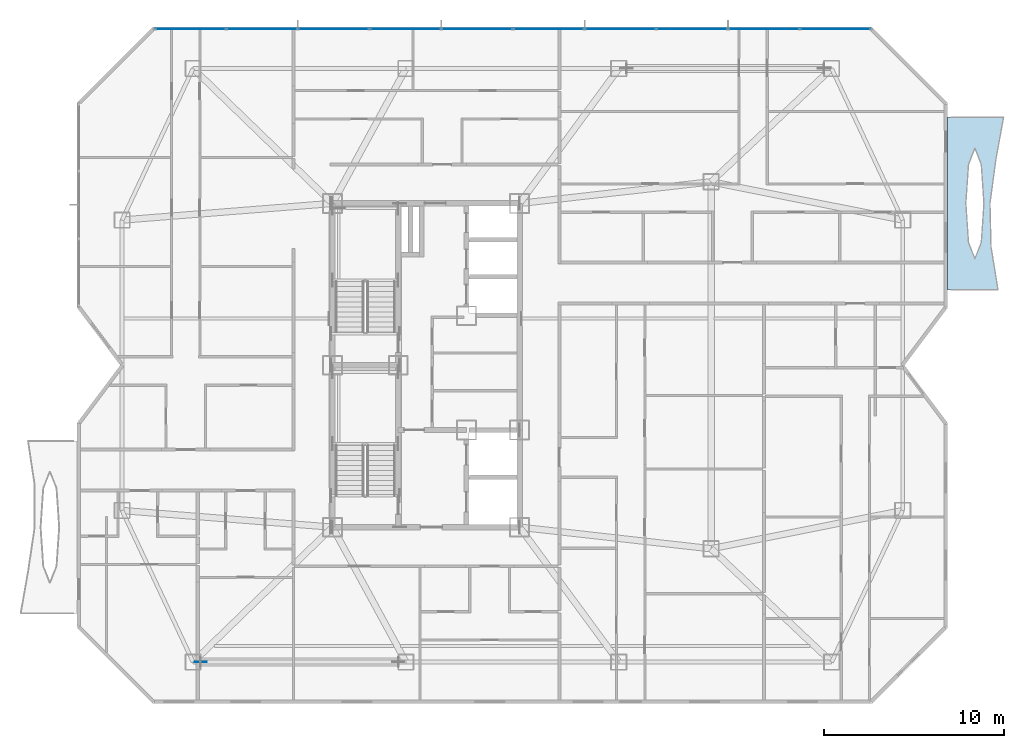
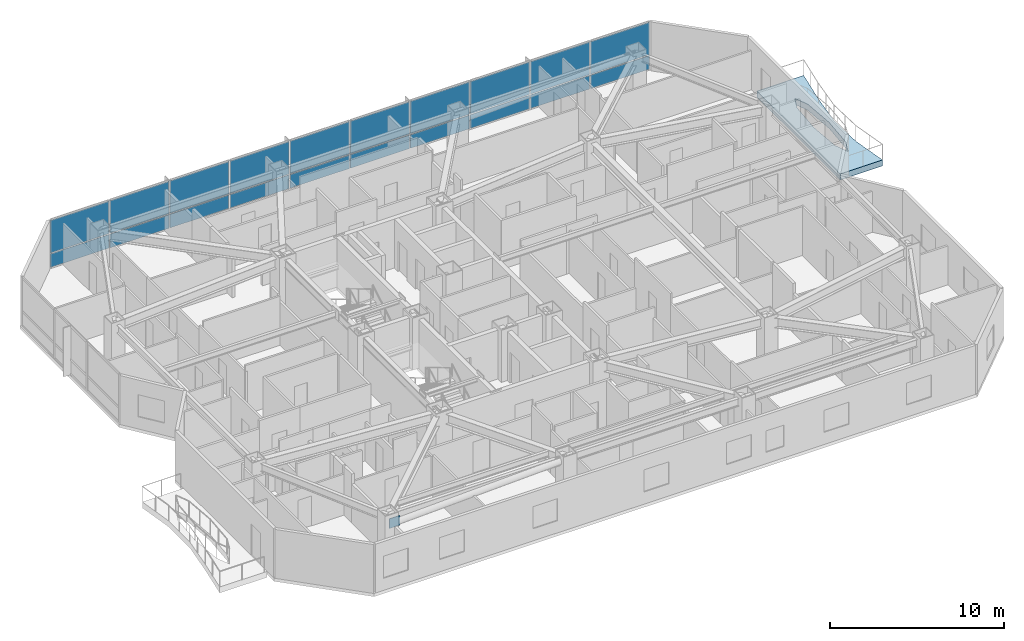
# One storey, part 11 of 21: 21 plates, 1 slab, 1 element without a shape of its own.
"""IFC4 building model written with IfcOpenShell, lengths in metres."""

import ifcopenshell
import ifcopenshell.guid

model = None  # the IFC model being written
_history = None  # IfcOwnerHistory: only IFC2X3 demands one
_inside = {}  # id of a spatial element -> (the spatial element, [elements in it])
_under = {}  # id of a project, library or spatial element -> (it, [spatial elements below it])
_declared = {}  # id of a project -> (the project, [libraries it declares])
_typed = {}  # id of a type object -> (the type object, [elements of that type])
_made_of = {}  # id of a material, layer set ... -> (it, [elements and type objects made of it])


def new_model(schema):
    """Start an empty IFC model of exactly this schema.

    Asked for "IFC4X3", IfcOpenShell would pick the latest addendum, in which some entities
    have other attributes; the version numbers below select the first issue.
    IFC2X3 requires an IfcOwnerHistory on every rooted entity: one is made here for all.
    """
    global model, _history
    if schema == "IFC4X3":
        model = ifcopenshell.file(schema_version=(4, 3, 0, 0))
    else:
        model = ifcopenshell.file(schema=schema)
    _inside.clear()
    _under.clear()
    _declared.clear()
    _typed.clear()
    _made_of.clear()
    _history = None
    if model.schema == "IFC2X3":
        org = make("IfcOrganization", Name="unknown")
        user = make(
            "IfcPersonAndOrganization",
            ThePerson=make("IfcPerson", FamilyName="unknown"),
            TheOrganization=org,
        )
        app = make(
            "IfcApplication",
            ApplicationDeveloper=org,
            Version="unknown",
            ApplicationFullName="unknown",
            ApplicationIdentifier="unknown",
        )
        _history = make(
            "IfcOwnerHistory",
            OwningUser=user,
            OwningApplication=app,
            ChangeAction="ADDED",
            CreationDate=0,
        )
    return model


def make(cls, **values):
    """One entity of the class cls with the attributes given. An attribute that is None is left unset."""
    return model.create_entity(
        cls, **{name: value for name, value in values.items() if value is not None}
    )


def rooted(cls, **values):
    """An entity with a GlobalId (a new one), such as an element, a storey or a relation."""
    return make(cls, GlobalId=ifcopenshell.guid.new(), OwnerHistory=_history, **values)


def si_unit(unit_type, name, prefix=None):
    """IfcSIUnit, for example si_unit("LENGTHUNIT", "METRE", prefix="MILLI")."""
    return make("IfcSIUnit", UnitType=unit_type, Prefix=prefix, Name=name)


def assignment(units):
    """IfcUnitAssignment: the units of a project."""
    return None if units is None else make("IfcUnitAssignment", Units=units)


def point(xyz):
    """IfcCartesianPoint."""
    return None if xyz is None else make("IfcCartesianPoint", Coordinates=xyz)


def direction(xyz):
    """IfcDirection."""
    return None if xyz is None else make("IfcDirection", DirectionRatios=xyz)


def frame(location, z_axis=None, x_axis=None):
    """IfcAxis2Placement3D, a coordinate frame: its origin and axes. An axis left out is left unset."""
    return make(
        "IfcAxis2Placement3D",
        Location=point(location),
        Axis=direction(z_axis),
        RefDirection=direction(x_axis),
    )


def frame_2d(location, x_axis=None):
    """IfcAxis2Placement2D, a coordinate frame in the plane: its origin and x axis."""
    return make(
        "IfcAxis2Placement2D", Location=point(location), RefDirection=direction(x_axis)
    )


def origin():
    """The frame at (0, 0, 0) with its axes left unset."""
    return frame((0.0, 0.0, 0.0))


def origin_2d():
    """The frame at (0, 0) in the plane with its x axis left unset."""
    return frame_2d((0.0, 0.0))


def place(relative_to, where):
    """IfcLocalPlacement: puts the frame where relative to a parent placement (None: the world)."""
    return make(
        "IfcLocalPlacement", PlacementRelTo=relative_to, RelativePlacement=where
    )


def context(
    kind, dimensions, precision=None, world=None, true_north=None, identifier=None
):
    """IfcGeometricRepresentationContext, for example the 3D "Model" context."""
    return make(
        "IfcGeometricRepresentationContext",
        ContextIdentifier=identifier,
        ContextType=kind,
        CoordinateSpaceDimension=dimensions,
        Precision=precision,
        WorldCoordinateSystem=world,
        TrueNorth=true_north,
    )


def subcontext(parent, identifier, kind, view, scale=None):
    """IfcGeometricRepresentationSubContext, for example "Body" below "Model"."""
    return make(
        "IfcGeometricRepresentationSubContext",
        ContextIdentifier=identifier,
        ContextType=kind,
        ParentContext=parent,
        TargetScale=scale,
        TargetView=view,
    )


def project(units=None, contexts=None):
    """IfcProject with its units and contexts."""
    return rooted(
        "IfcProject",
        Name="project",
        RepresentationContexts=contexts,
        UnitsInContext=assignment(units),
    )


def spatial(cls, under=None, at=None, **own):
    """A site, building, storey or space (cls), placed at a placement, below another one or the project."""
    s = rooted(cls, ObjectPlacement=at, **own)
    if under is not None:
        _under.setdefault(under.id(), (under, []))[1].append(s)
    return s


def polyline(points):
    """IfcPolyline through the points."""
    return make("IfcPolyline", Points=[point(p) for p in points])


def profile(cls, at=None, kind="AREA", **sizes):
    """A parametric profile (cls). Its sizes go by their IFC names, for example OverallWidth=200.0."""
    return make(cls, ProfileType=kind, Position=at, **sizes)


def rectangle(**sizes):
    """IfcRectangleProfileDef."""
    return profile("IfcRectangleProfileDef", **sizes)


def outline(outer, holes=None, kind="AREA"):
    """IfcArbitraryClosedProfileDef: a profile drawn as a closed curve; with holes, ...WithVoids."""
    if holes is None:
        return make("IfcArbitraryClosedProfileDef", ProfileType=kind, OuterCurve=outer)
    return make(
        "IfcArbitraryProfileDefWithVoids",
        ProfileType=kind,
        OuterCurve=outer,
        InnerCurves=holes,
    )


def extrude(swept, where, along, depth):
    """IfcExtrudedAreaSolid: the profile swept, set in the frame where, extruded along a direction by depth."""
    return make(
        "IfcExtrudedAreaSolid",
        SweptArea=swept,
        Position=where,
        ExtrudedDirection=direction(along),
        Depth=depth,
    )


def shape(context_of_items, identifier, shape_type, items):
    """IfcShapeRepresentation: the items that make up one representation, for example the "Body"."""
    return make(
        "IfcShapeRepresentation",
        ContextOfItems=context_of_items,
        RepresentationIdentifier=identifier,
        RepresentationType=shape_type,
        Items=items,
    )


def material(Name=None, Category=None):
    """IfcMaterial."""
    return make("IfcMaterial", Name=Name, Category=Category)


def layer(
    of_material, thickness, ventilated=None, Name=None, Category=None, Priority=None
):
    """IfcMaterialLayer: one layer of a wall or slab, of a material (None: an air gap)."""
    return make(
        "IfcMaterialLayer",
        Material=of_material,
        LayerThickness=thickness,
        IsVentilated=ventilated,
        Name=Name,
        Category=Category,
        Priority=Priority,
    )


def layer_set(layers, Name=None):
    """IfcMaterialLayerSet."""
    return make("IfcMaterialLayerSet", MaterialLayers=layers, LayerSetName=Name)


def made_of(thing, what):
    """Note that an element or type object is made of a material, layer set ...; save() writes the relation."""
    if what is not None:
        _made_of.setdefault(what.id(), (what, []))[1].append(thing)
    return thing


def type_object(cls, material=None, **own):
    """A type object (cls), such as IfcWallType, which elements share."""
    return made_of(rooted(cls, **own), material)


def element(
    cls,
    number,
    at=None,
    inside=None,
    cuts=None,
    type_object=None,
    material=None,
    context=None,
    identifier="Body",
    shape_type=None,
    held_by="IfcProductDefinitionShape",
    body=None,
    shapes=None,
    **own,
):
    """One element of the class cls, such as IfcWall. Its Tag is "e" and its number.

    at: its placement. inside: the storey or other place that contains it. cuts: it is an
    opening in that element (IfcRelVoidsElement). A single representation is given by context,
    identifier, shape_type and body (its items); several are given by shapes. held_by: the class
    of the entity that holds the representations. save() writes the other relations.
    """
    e = rooted(cls, Tag="e%d" % number, ObjectPlacement=at, **own)
    if body is not None:
        shapes = [shape(context, identifier, shape_type, body)]
    if shapes is not None:
        e.Representation = make(held_by, Representations=shapes)
    if inside is not None:
        _inside.setdefault(inside.id(), (inside, []))[1].append(e)
    if cuts is not None:
        rooted(
            "IfcRelVoidsElement", RelatingBuildingElement=cuts, RelatedOpeningElement=e
        )
    if type_object is not None:
        _typed.setdefault(type_object.id(), (type_object, []))[1].append(e)
    return made_of(e, material)


def aggregate(whole, parts):
    """IfcRelAggregates: a whole, such as a stair, and the parts it consists of."""
    return rooted("IfcRelAggregates", RelatingObject=whole, RelatedObjects=parts)


def save(model, path):
    """Write the relations noted so far, then the file.

    IfcRelAggregates (storeys below a building ...), IfcRelContainedInSpatialStructure (elements
    in a storey), IfcRelDefinesByType, IfcRelAssociatesMaterial and IfcRelDeclares: one each for
    every whole, place, type object, material and project.
    """
    for whole, parts in _under.values():
        aggregate(whole, parts)
    for where, things in _inside.values():
        rooted(
            "IfcRelContainedInSpatialStructure",
            RelatedElements=things,
            RelatingStructure=where,
        )
    for kind, things in _typed.values():
        rooted("IfcRelDefinesByType", RelatedObjects=things, RelatingType=kind)
    for what, things in _made_of.values():
        rooted("IfcRelAssociatesMaterial", RelatedObjects=things, RelatingMaterial=what)
    for by, libraries in _declared.values():
        rooted("IfcRelDeclares", RelatingContext=by, RelatedDefinitions=libraries)
    model.write(path)


model = new_model("IFC4")

# Units and contexts
model_context = context("Model", 3, precision=1e-05, world=origin(), true_north=direction((0.0, 1.0)))
body_context = subcontext(model_context, "Body", "Model", "MODEL_VIEW")
ifc_project = project(units=[si_unit("LENGTHUNIT", "METRE"), si_unit("AREAUNIT", "SQUARE_METRE"), si_unit("VOLUMEUNIT", "CUBIC_METRE"), si_unit("PLANEANGLEUNIT", "RADIAN"), si_unit("MASSUNIT", "GRAM", prefix="KILO")], contexts=[model_context])

# Site, building, storey
site_placement = place(None, origin())
site = spatial("IfcSite", under=ifc_project, at=site_placement, CompositionType="ELEMENT")
building_placement = place(site_placement, origin())
building = spatial("IfcBuilding", under=site, at=building_placement, Name="Khamvora Tower", CompositionType="ELEMENT")
storey_placement = place(building_placement, frame((0.0, 0.0, 159.550048828125)))
storey = spatial("IfcBuildingStorey", under=building, at=storey_placement, Name="L40", CompositionType="ELEMENT", Elevation=159.550048828125)

# Curtain wall, plates
ifc_material_1 = material(Name="Anodised Aluminium 6063-T6", Category="aluminium")
curtain_wall_type = type_object("IfcCurtainWallType", Name="CW-SYS-04", PredefinedType="NOTDEFINED", material=ifc_material_1)
curtain_wall_placement = place(storey_placement, origin())
curtain_wall = element("IfcCurtainWall", 1, at=curtain_wall_placement, inside=storey, type_object=curtain_wall_type, Name="L40 stick curtain wall 07.1", PredefinedType="NOTDEFINED")
ifc_material_2 = material(Name="Low-E Laminated Double Glazing", Category="glass")
ifc_layer_1 = layer(ifc_material_2, 0.028076171875)
ifc_layer_set_1 = layer_set([ifc_layer_1], Name="Low-E Laminated Double Glazing")
plate_type_1 = type_object("IfcPlateType", Name="CW-SYS-04-PNL", PredefinedType="CURTAIN_PANEL", material=ifc_layer_set_1)
plate_1_placement = place(storey_placement, frame((21.111083984375, 46.699951171875, 0.06494140625), z_axis=(0.0, 0.0, 1.0), x_axis=(1.0, 0.0, 0.0)))
plate_1 = element("IfcPlate", 2, at=plate_1_placement, type_object=plate_type_1, Name="CW-04 panel 1.1", PredefinedType="CURTAIN_PANEL", context=body_context, shape_type="SweptSolid", body=[
    extrude(rectangle(XDim=3.88818359375, YDim=0.028076171875, at=origin_2d()), origin(), (0.0, 0.0, 1.0), 0.952392578125),
])
plate_2_placement = place(storey_placement, frame((21.111083984375, 46.699951171875, 1.08251953125), z_axis=(0.0, 0.0, 1.0), x_axis=(1.0, 0.0, 0.0)))
plate_2 = element("IfcPlate", 3, at=plate_2_placement, type_object=plate_type_1, Name="CW-04 panel 1.2", PredefinedType="CURTAIN_PANEL", context=body_context, shape_type="SweptSolid", body=[
    extrude(rectangle(XDim=3.88818359375, YDim=0.028076171875, at=origin_2d()), origin(), (0.0, 0.0, 1.0), 2.282470703125),
])
plate_3_placement = place(storey_placement, frame((25.08056640625, 46.699951171875, 0.06494140625), z_axis=(0.0, 0.0, 1.0), x_axis=(1.0, 0.0, 0.0)))
plate_3 = element("IfcPlate", 4, at=plate_3_placement, type_object=plate_type_1, Name="CW-04 panel 2.1", PredefinedType="CURTAIN_PANEL", context=body_context, shape_type="SweptSolid", body=[
    extrude(rectangle(XDim=3.920654296875, YDim=0.028076171875, at=origin_2d()), origin(), (0.0, 0.0, 1.0), 0.952392578125),
])
plate_4_placement = place(storey_placement, frame((25.08056640625, 46.699951171875, 1.08251953125), z_axis=(0.0, 0.0, 1.0), x_axis=(1.0, 0.0, 0.0)))
plate_4 = element("IfcPlate", 5, at=plate_4_placement, type_object=plate_type_1, Name="CW-04 panel 2.2", PredefinedType="CURTAIN_PANEL", context=body_context, shape_type="SweptSolid", body=[
    extrude(rectangle(XDim=3.920654296875, YDim=0.028076171875, at=origin_2d()), origin(), (0.0, 0.0, 1.0), 2.282470703125),
])
plate_5_placement = place(storey_placement, frame((29.066162109375, 46.699951171875, 0.06494140625), z_axis=(0.0, 0.0, 1.0), x_axis=(1.0, 0.0, 0.0)))
plate_5 = element("IfcPlate", 6, at=plate_5_placement, type_object=plate_type_1, Name="CW-04 panel 3.1", PredefinedType="CURTAIN_PANEL", context=body_context, shape_type="SweptSolid", body=[
    extrude(rectangle(XDim=3.920654296875, YDim=0.028076171875, at=origin_2d()), origin(), (0.0, 0.0, 1.0), 0.952392578125),
])
plate_6_placement = place(storey_placement, frame((29.066162109375, 46.699951171875, 1.08251953125), z_axis=(0.0, 0.0, 1.0), x_axis=(1.0, 0.0, 0.0)))
plate_6 = element("IfcPlate", 7, at=plate_6_placement, type_object=plate_type_1, Name="CW-04 panel 3.2", PredefinedType="CURTAIN_PANEL", context=body_context, shape_type="SweptSolid", body=[
    extrude(rectangle(XDim=3.920654296875, YDim=0.028076171875, at=origin_2d()), origin(), (0.0, 0.0, 1.0), 2.282470703125),
])
plate_7_placement = place(storey_placement, frame((33.052001953125, 46.699951171875, 0.06494140625), z_axis=(0.0, 0.0, 1.0), x_axis=(1.0, 0.0, 0.0)))
plate_7 = element("IfcPlate", 8, at=plate_7_placement, type_object=plate_type_1, Name="CW-04 panel 4.1", PredefinedType="CURTAIN_PANEL", context=body_context, shape_type="SweptSolid", body=[
    extrude(rectangle(XDim=3.920654296875, YDim=0.028076171875, at=origin_2d()), origin(), (0.0, 0.0, 1.0), 0.952392578125),
])
plate_8_placement = place(storey_placement, frame((33.052001953125, 46.699951171875, 1.08251953125), z_axis=(0.0, 0.0, 1.0), x_axis=(1.0, 0.0, 0.0)))
plate_8 = element("IfcPlate", 9, at=plate_8_placement, type_object=plate_type_1, Name="CW-04 panel 4.2", PredefinedType="CURTAIN_PANEL", context=body_context, shape_type="SweptSolid", body=[
    extrude(rectangle(XDim=3.920654296875, YDim=0.028076171875, at=origin_2d()), origin(), (0.0, 0.0, 1.0), 2.282470703125),
])
plate_9_placement = place(storey_placement, frame((37.03759765625, 46.699951171875, 0.06494140625), z_axis=(0.0, 0.0, 1.0), x_axis=(1.0, 0.0, 0.0)))
plate_9 = element("IfcPlate", 10, at=plate_9_placement, type_object=plate_type_1, Name="CW-04 panel 5.1", PredefinedType="CURTAIN_PANEL", context=body_context, shape_type="SweptSolid", body=[
    extrude(rectangle(XDim=3.920654296875, YDim=0.028076171875, at=origin_2d()), origin(), (0.0, 0.0, 1.0), 0.952392578125),
])
plate_10_placement = place(storey_placement, frame((37.03759765625, 46.699951171875, 1.08251953125), z_axis=(0.0, 0.0, 1.0), x_axis=(1.0, 0.0, 0.0)))
plate_10 = element("IfcPlate", 11, at=plate_10_placement, type_object=plate_type_1, Name="CW-04 panel 5.2", PredefinedType="CURTAIN_PANEL", context=body_context, shape_type="SweptSolid", body=[
    extrude(rectangle(XDim=3.920654296875, YDim=0.028076171875, at=origin_2d()), origin(), (0.0, 0.0, 1.0), 2.282470703125),
])
plate_11_placement = place(storey_placement, frame((41.0234375, 46.699951171875, 0.06494140625), z_axis=(0.0, 0.0, 1.0), x_axis=(1.0, 0.0, 0.0)))
plate_11 = element("IfcPlate", 12, at=plate_11_placement, type_object=plate_type_1, Name="CW-04 panel 6.1", PredefinedType="CURTAIN_PANEL", context=body_context, shape_type="SweptSolid", body=[
    extrude(rectangle(XDim=3.920654296875, YDim=0.028076171875, at=origin_2d()), origin(), (0.0, 0.0, 1.0), 0.952392578125),
])
plate_12_placement = place(storey_placement, frame((41.0234375, 46.699951171875, 1.08251953125), z_axis=(0.0, 0.0, 1.0), x_axis=(1.0, 0.0, 0.0)))
plate_12 = element("IfcPlate", 13, at=plate_12_placement, type_object=plate_type_1, Name="CW-04 panel 6.2", PredefinedType="CURTAIN_PANEL", context=body_context, shape_type="SweptSolid", body=[
    extrude(rectangle(XDim=3.920654296875, YDim=0.028076171875, at=origin_2d()), origin(), (0.0, 0.0, 1.0), 2.282470703125),
])
plate_13_placement = place(storey_placement, frame((45.009033203125, 46.699951171875, 0.06494140625), z_axis=(0.0, 0.0, 1.0), x_axis=(1.0, 0.0, 0.0)))
plate_13 = element("IfcPlate", 14, at=plate_13_placement, type_object=plate_type_1, Name="CW-04 panel 7.1", PredefinedType="CURTAIN_PANEL", context=body_context, shape_type="SweptSolid", body=[
    extrude(rectangle(XDim=3.920654296875, YDim=0.028076171875, at=origin_2d()), origin(), (0.0, 0.0, 1.0), 0.952392578125),
])
plate_14_placement = place(storey_placement, frame((45.009033203125, 46.699951171875, 1.08251953125), z_axis=(0.0, 0.0, 1.0), x_axis=(1.0, 0.0, 0.0)))
plate_14 = element("IfcPlate", 15, at=plate_14_placement, type_object=plate_type_1, Name="CW-04 panel 7.2", PredefinedType="CURTAIN_PANEL", context=body_context, shape_type="SweptSolid", body=[
    extrude(rectangle(XDim=3.920654296875, YDim=0.028076171875, at=origin_2d()), origin(), (0.0, 0.0, 1.0), 2.282470703125),
])
plate_15_placement = place(storey_placement, frame((48.99462890625, 46.699951171875, 0.06494140625), z_axis=(0.0, 0.0, 1.0), x_axis=(1.0, 0.0, 0.0)))
plate_15 = element("IfcPlate", 16, at=plate_15_placement, type_object=plate_type_1, Name="CW-04 panel 8.1", PredefinedType="CURTAIN_PANEL", context=body_context, shape_type="SweptSolid", body=[
    extrude(rectangle(XDim=3.920654296875, YDim=0.028076171875, at=origin_2d()), origin(), (0.0, 0.0, 1.0), 0.952392578125),
])
plate_16_placement = place(storey_placement, frame((48.99462890625, 46.699951171875, 1.08251953125), z_axis=(0.0, 0.0, 1.0), x_axis=(1.0, 0.0, 0.0)))
plate_16 = element("IfcPlate", 17, at=plate_16_placement, type_object=plate_type_1, Name="CW-04 panel 8.2", PredefinedType="CURTAIN_PANEL", context=body_context, shape_type="SweptSolid", body=[
    extrude(rectangle(XDim=3.920654296875, YDim=0.028076171875, at=origin_2d()), origin(), (0.0, 0.0, 1.0), 2.282470703125),
])
plate_17_placement = place(storey_placement, frame((52.98046875, 46.699951171875, 0.06494140625), z_axis=(0.0, 0.0, 1.0), x_axis=(1.0, 0.0, 0.0)))
plate_17 = element("IfcPlate", 18, at=plate_17_placement, type_object=plate_type_1, Name="CW-04 panel 9.1", PredefinedType="CURTAIN_PANEL", context=body_context, shape_type="SweptSolid", body=[
    extrude(rectangle(XDim=3.920654296875, YDim=0.028076171875, at=origin_2d()), origin(), (0.0, 0.0, 1.0), 0.952392578125),
])
plate_18_placement = place(storey_placement, frame((52.98046875, 46.699951171875, 1.08251953125), z_axis=(0.0, 0.0, 1.0), x_axis=(1.0, 0.0, 0.0)))
plate_18 = element("IfcPlate", 19, at=plate_18_placement, type_object=plate_type_1, Name="CW-04 panel 9.2", PredefinedType="CURTAIN_PANEL", context=body_context, shape_type="SweptSolid", body=[
    extrude(rectangle(XDim=3.920654296875, YDim=0.028076171875, at=origin_2d()), origin(), (0.0, 0.0, 1.0), 2.282470703125),
])
plate_19_placement = place(storey_placement, frame((56.949951171875, 46.699951171875, 0.06494140625), z_axis=(0.0, 0.0, 1.0), x_axis=(1.0, 0.0, 0.0)))
plate_19 = element("IfcPlate", 20, at=plate_19_placement, type_object=plate_type_1, Name="CW-04 panel 10.1", PredefinedType="CURTAIN_PANEL", context=body_context, shape_type="SweptSolid", body=[
    extrude(rectangle(XDim=3.88818359375, YDim=0.028076171875, at=origin_2d()), origin(), (0.0, 0.0, 1.0), 0.952392578125),
])
plate_20_placement = place(storey_placement, frame((56.949951171875, 46.699951171875, 1.08251953125), z_axis=(0.0, 0.0, 1.0), x_axis=(1.0, 0.0, 0.0)))
plate_20 = element("IfcPlate", 21, at=plate_20_placement, type_object=plate_type_1, Name="CW-04 panel 10.2", PredefinedType="CURTAIN_PANEL", context=body_context, shape_type="SweptSolid", body=[
    extrude(rectangle(XDim=3.88818359375, YDim=0.028076171875, at=origin_2d()), origin(), (0.0, 0.0, 1.0), 2.282470703125),
])
aggregate(curtain_wall, [plate_1, plate_2, plate_3, plate_4, plate_5, plate_6, plate_7, plate_8, plate_9, plate_10, plate_11, plate_12, plate_13, plate_14, plate_15, plate_16, plate_17, plate_18, plate_19, plate_20])

# Plate
ifc_material_3 = material(Name="Steel S460", Category="steel")
ifc_layer_2 = layer(ifc_material_3, 0.0400390625)
ifc_layer_set_2 = layer_set([ifc_layer_2], Name="Steel S460")
plate_type_2 = type_object("IfcPlateType", Name="PLT-GUS-40", PredefinedType="SHEET", material=ifc_layer_set_2)
plate_21_placement = place(storey_placement, frame((21.679931640625, 11.5, 2.35791015625), z_axis=(0.0, 0.0, 1.0), x_axis=(1.0, 0.0, 0.0)))
element("IfcPlate", 22, at=plate_21_placement, inside=storey, type_object=plate_type_2, Name="L40 brace connection node gusset plate 0277", PredefinedType="SHEET", context=body_context, shape_type="SweptSolid", body=[
    extrude(rectangle(XDim=0.679931640625, YDim=0.0400390625, at=origin_2d()), origin(), (0.0, 0.0, 1.0), 0.679931640625),
])

# Slab
ifc_material_4 = material(Name="Concrete C40/50", Category="concrete")
ifc_layer_3 = layer(ifc_material_4, 0.419921875)
ifc_layer_set_3 = layer_set([ifc_layer_3], Name="Concrete C40/50")
slab_type = type_object("IfcSlabType", Name="SLB-GRD-420", PredefinedType="FLOOR", material=ifc_layer_set_3)
slab_placement = place(storey_placement, frame((0.0, 0.0, -0.420166015625)))
element("IfcSlab", 23, at=slab_placement, inside=storey, type_object=slab_type, Name="L40 external lens gallery slab EL2", PredefinedType="FLOOR", context=body_context, shape_type="SweptSolid", body=[
    extrude(outline(polyline([(65.998046875, 32.199951171875), (65.610107421875, 34.60009765625), (65.552978515625, 37.0), (65.875, 39.39990234375), (66.31005859375, 41.800048828125), (63.199951171875, 41.800048828125), (63.199951171875, 32.199951171875), (65.998046875, 32.199951171875)]), holes=[polyline([(65.218994140625, 37.0), (65.071044921875, 39.172119140625), (64.715087890625, 40.072021484375), (64.35888671875, 39.172119140625), (64.2109375, 37.0), (64.35888671875, 34.827880859375), (64.715087890625, 33.927978515625), (65.071044921875, 34.827880859375), (65.218994140625, 37.0)])]), origin(), (0.0, 0.0, 1.0), 0.420166015625),
])

save(model, "model.ifc")
